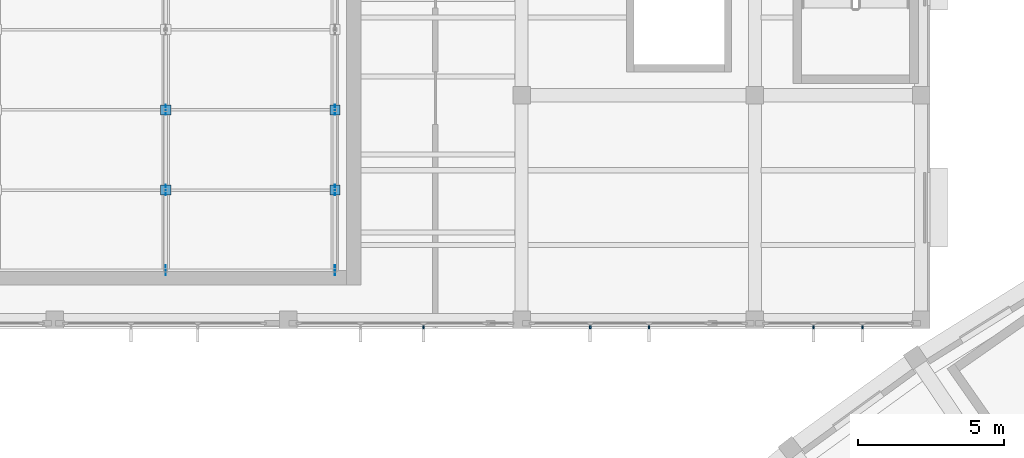
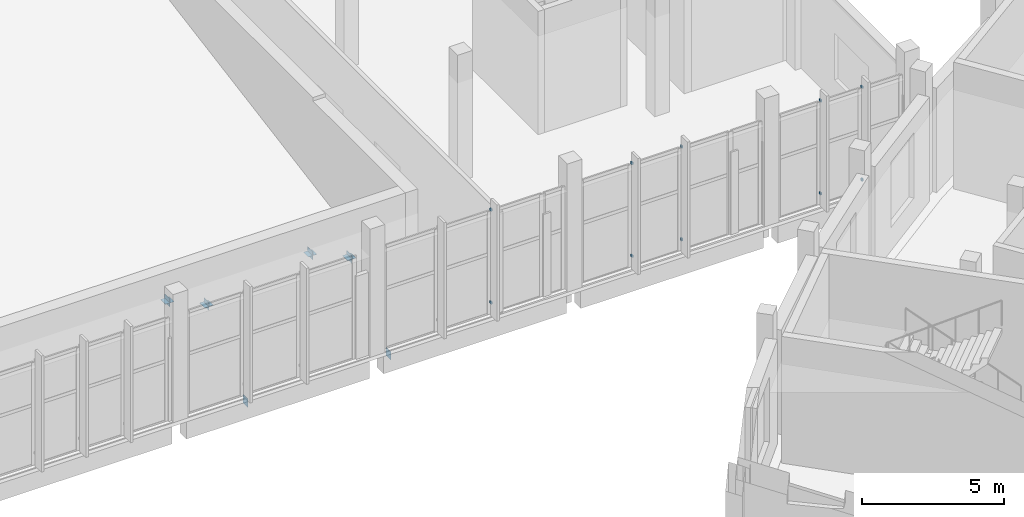
# One storey, part 87 of 132: 20 discrete accessories.
"""IFC4 building model written with IfcOpenShell, lengths in metres."""

from ifc_helpers import new_model, si_unit, direction, frame, origin, origin_2d, place, context, subcontext, project, spatial, rectangle, extrude, material, layer, layer_set, type_object, element, save


model = new_model("IFC4")

# Units and contexts
model_context = context("Model", 3, precision=1e-05, world=origin(), true_north=direction((0.0, 1.0)))
body_context = subcontext(model_context, "Body", "Model", "MODEL_VIEW")
ifc_project = project(units=[si_unit("LENGTHUNIT", "METRE"), si_unit("AREAUNIT", "SQUARE_METRE"), si_unit("VOLUMEUNIT", "CUBIC_METRE"), si_unit("PLANEANGLEUNIT", "RADIAN"), si_unit("MASSUNIT", "GRAM", prefix="KILO")], contexts=[model_context])

# Site, building, storey
site_placement = place(None, origin())
site = spatial("IfcSite", under=ifc_project, at=site_placement, CompositionType="ELEMENT")
building_placement = place(site_placement, origin())
building = spatial("IfcBuilding", under=site, at=building_placement, Name="Lunette Opera House", CompositionType="ELEMENT")
storey_placement = place(building_placement, frame((0.0, 0.0, 17.0)))
storey = spatial("IfcBuildingStorey", under=building, at=storey_placement, Name="L03", CompositionType="ELEMENT", Elevation=17.0)

# Discrete accessories
ifc_material_1 = material(Name="Steel S355", Category="steel")
ifc_layer = layer(ifc_material_1, 0.011962890625)
ifc_layer_set = layer_set([ifc_layer], Name="Steel S355")
discrete_accessory_type_1 = type_object("IfcDiscreteAccessoryType", Name="BRACE GUSSET PLATE 12", PredefinedType="USERDEFINED", material=ifc_layer_set)
for number, where, z_axis, x_axis, name in (
    (1, (27.800048828125, 66.0, -1.880126953125), (0.0, 0.0, 1.0), (0.0, 1.0, 0.0), "Gusset plate 235"),
    (2, (27.800048828125, 68.75, 0.60498046875), (0.0, 0.0, 1.0), (0.0, 1.0, 0.0), "Gusset plate 236"),
):
    element("IfcDiscreteAccessory", number, at=place(storey_placement, frame(where, z_axis=z_axis, x_axis=x_axis)), inside=storey, type_object=discrete_accessory_type_1, Name=name, ObjectType="GUSSET PLATE", PredefinedType="USERDEFINED", context=body_context, shape_type="SweptSolid", body=[
        extrude(rectangle(XDim=0.35009765625, YDim=0.011962890625, at=origin_2d()), origin(), (0.0, 0.0, 1.0), 0.35009765625),
    ])
for number, where, z_axis, x_axis, name in (
    (3, (27.800048828125, 68.75, 0.77392578125), (0.0, 0.0, 1.0), (0.0, 1.0, 0.0), "Gusset plate 237"),
    (4, (27.800048828125, 71.5, -0.7412109375), (0.0, 0.0, 1.0), (0.0, 1.0, 0.0), "Gusset plate 238"),
):
    element("IfcDiscreteAccessory", number, at=place(storey_placement, frame(where, z_axis=z_axis, x_axis=x_axis)), inside=storey, type_object=discrete_accessory_type_1, Name=name, ObjectType="GUSSET PLATE", PredefinedType="USERDEFINED", context=body_context, shape_type="SweptSolid", body=[
        extrude(rectangle(XDim=0.35009765625, YDim=0.35009765625, at=origin_2d()), origin(), (0.0, 0.0, 1.0), 0.011962890625),
    ])
for number, where, z_axis, x_axis, name in (
    (5, (27.800048828125, 71.5, -0.91015625), (0.0, 0.0, 1.0), (0.0, 1.0, 0.0), "Gusset plate 239"),
    (6, (33.60009765625, 66.0, -1.880126953125), (0.0, 0.0, 1.0), (0.0, 1.0, 0.0), "Gusset plate 251"),
    (7, (33.60009765625, 68.75, 0.60498046875), (0.0, 0.0, 1.0), (0.0, 1.0, 0.0), "Gusset plate 252"),
):
    element("IfcDiscreteAccessory", number, at=place(storey_placement, frame(where, z_axis=z_axis, x_axis=x_axis)), inside=storey, type_object=discrete_accessory_type_1, Name=name, ObjectType="GUSSET PLATE", PredefinedType="USERDEFINED", context=body_context, shape_type="SweptSolid", body=[
        extrude(rectangle(XDim=0.35009765625, YDim=0.011962890625, at=origin_2d()), origin(), (0.0, 0.0, 1.0), 0.35009765625),
    ])
for number, where, z_axis, x_axis, name in (
    (8, (33.60009765625, 68.75, 0.77392578125), (0.0, 0.0, 1.0), (0.0, 1.0, 0.0), "Gusset plate 253"),
    (9, (33.60009765625, 71.5, -0.7412109375), (0.0, 0.0, 1.0), (0.0, 1.0, 0.0), "Gusset plate 254"),
):
    element("IfcDiscreteAccessory", number, at=place(storey_placement, frame(where, z_axis=z_axis, x_axis=x_axis)), inside=storey, type_object=discrete_accessory_type_1, Name=name, ObjectType="GUSSET PLATE", PredefinedType="USERDEFINED", context=body_context, shape_type="SweptSolid", body=[
        extrude(rectangle(XDim=0.35009765625, YDim=0.35009765625, at=origin_2d()), origin(), (0.0, 0.0, 1.0), 0.011962890625),
    ])
discrete_accessory_placement = place(storey_placement, frame((33.60009765625, 71.5, -0.91015625), z_axis=(0.0, 0.0, 1.0), x_axis=(0.0, 1.0, 0.0)))
element("IfcDiscreteAccessory", 10, at=discrete_accessory_placement, inside=storey, type_object=discrete_accessory_type_1, Name="Gusset plate 255", ObjectType="GUSSET PLATE", PredefinedType="USERDEFINED", context=body_context, shape_type="SweptSolid", body=[
    extrude(rectangle(XDim=0.35009765625, YDim=0.011962890625, at=origin_2d()), origin(), (0.0, 0.0, 1.0), 0.35009765625),
])
ifc_material_2 = material(Name="Galvanised steel", Category="steel")
discrete_accessory_type_2 = type_object("IfcDiscreteAccessoryType", Name="FIN BRACKET STEEL", PredefinedType="BRACKET", material=ifc_material_2)
for number, where, z_axis, x_axis, name in (
    (11, (36.635009765625, 64.04296875, 0.56494140625), (0.0, 0.0, 1.0), (0.0, -1.0, 0.0), "Fin bracket RW-X2052 2 1"),
    (12, (36.635009765625, 64.04296875, 4.550048828125), (0.0, 0.0, 1.0), (0.0, -1.0, 0.0), "Fin bracket RW-X2052 2 2"),
    (13, (42.35107421875, 64.04296875, 0.56494140625), (0.0, 0.0, 1.0), (0.0, -1.0, 0.0), "Fin bracket RW-X2054 1 1"),
    (14, (42.35107421875, 64.04296875, 4.550048828125), (0.0, 0.0, 1.0), (0.0, -1.0, 0.0), "Fin bracket RW-X2054 1 2"),
    (15, (44.373046875, 64.04296875, 0.56494140625), (0.0, 0.0, 1.0), (0.0, -1.0, 0.0), "Fin bracket RW-X2054 2 1"),
    (16, (44.373046875, 64.04296875, 4.550048828125), (0.0, 0.0, 1.0), (0.0, -1.0, 0.0), "Fin bracket RW-X2054 2 2"),
    (17, (50.010009765625, 64.04296875, 0.56494140625), (0.0, 0.0, 1.0), (0.0, -1.0, 0.0), "Fin bracket RW-X2056 1 1"),
    (18, (50.010009765625, 64.04296875, 4.550048828125), (0.0, 0.0, 1.0), (0.0, -1.0, 0.0), "Fin bracket RW-X2056 1 2"),
    (19, (51.68994140625, 64.04296875, 0.56494140625), (0.0, 0.0, 1.0), (0.0, -1.0, 0.0), "Fin bracket RW-X2056 2 1"),
    (20, (51.68994140625, 64.04296875, 4.550048828125), (0.0, 0.0, 1.0), (0.0, -1.0, 0.0), "Fin bracket RW-X2056 2 2"),
):
    element("IfcDiscreteAccessory", number, at=place(storey_placement, frame(where, z_axis=z_axis, x_axis=x_axis)), inside=storey, type_object=discrete_accessory_type_2, Name=name, PredefinedType="BRACKET", context=body_context, shape_type="SweptSolid", body=[
        extrude(rectangle(XDim=0.10009765625, YDim=0.06005859375, at=origin_2d()), origin(), (0.0, 0.0, 1.0), 0.10009765625),
    ])

save(model, "model.ifc")
